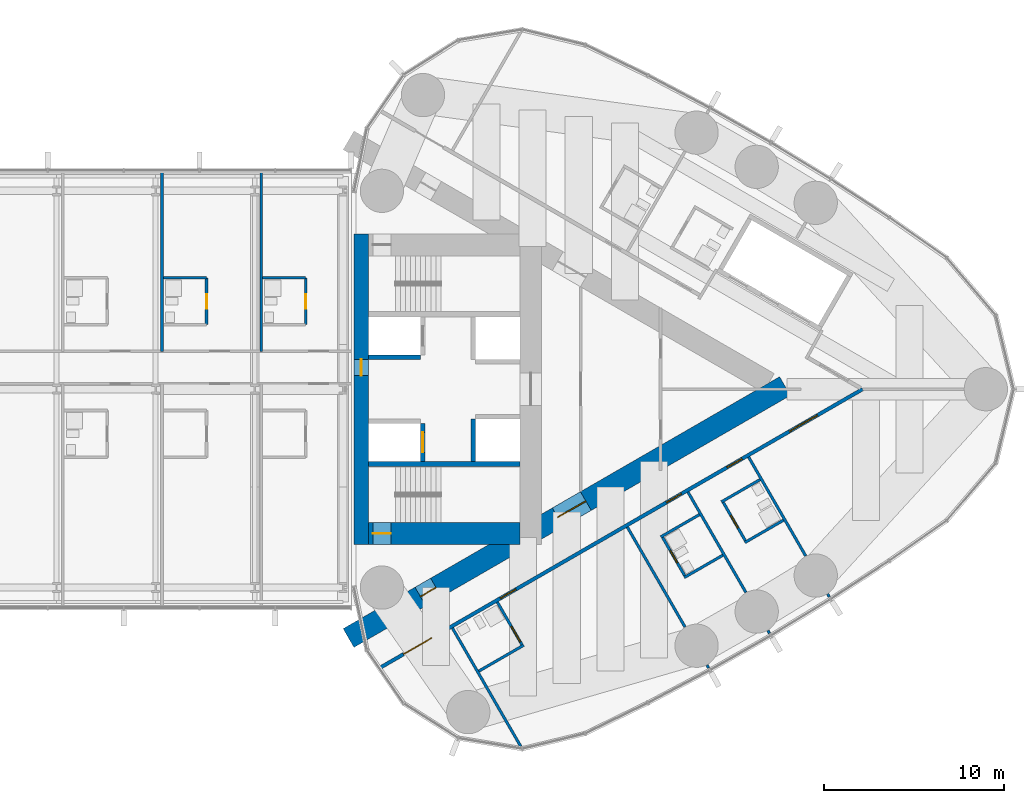
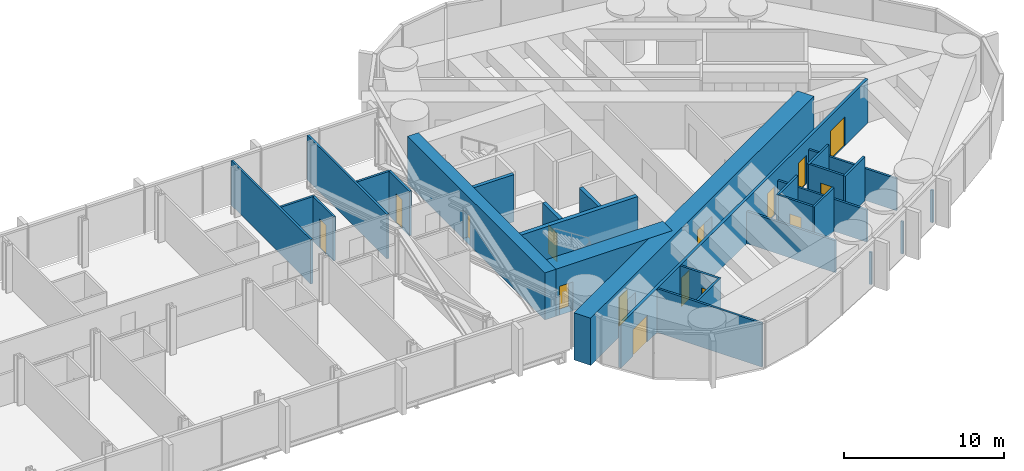
# One storey, part 19 of 24: 29 walls, 15 doors, 15 openings.
"""IFC4 building model written with IfcOpenShell, lengths in metres."""

from ifc_helpers import new_model, si_unit, direction, frame, frame_2d, origin, place, context, subcontext, project, spatial, rectangle, extrude, material, layer, layer_set, type_object, element, fill, save


model = new_model("IFC4")

# Units and contexts
model_context = context("Model", 3, precision=1e-05, world=origin(), true_north=direction((0.0, 1.0)))
body_context = subcontext(model_context, "Body", "Model", "MODEL_VIEW")
ifc_project = project(units=[si_unit("LENGTHUNIT", "METRE"), si_unit("AREAUNIT", "SQUARE_METRE"), si_unit("VOLUMEUNIT", "CUBIC_METRE"), si_unit("PLANEANGLEUNIT", "RADIAN"), si_unit("MASSUNIT", "GRAM", prefix="KILO")], contexts=[model_context])

# Site, building, storey
site_placement = place(None, origin())
site = spatial("IfcSite", under=ifc_project, at=site_placement, CompositionType="ELEMENT")
building_placement = place(site_placement, origin())
building = spatial("IfcBuilding", under=site, at=building_placement, Name="Lancet Gate Hotel", CompositionType="ELEMENT")
storey_placement = place(building_placement, frame((0.0, 0.0, 244.10009765625)))
storey = spatial("IfcBuildingStorey", under=building, at=storey_placement, Name="L65", CompositionType="ELEMENT", Elevation=244.10009765625)

# Wall
ifc_material_1 = material(Name="Moisture resistant board partition")
ifc_layer_1 = layer(ifc_material_1, 0.14990234375)
ifc_layer_set_1 = layer_set([ifc_layer_1], Name="Bathroom wall 150")
wall_type_1 = type_object("IfcWallType", Name="Bathroom wall 150", PredefinedType="PARTITIONING", material=ifc_layer_set_1)
wall_1_placement = place(storey_placement, frame((34.425048828125, -15.633056640625, 0.0), z_axis=(0.0, 0.0, 1.0), x_axis=(0.866018712932, 0.500011588718, 0.0)))
element("IfcWall", 1, at=wall_1_placement, inside=storey, type_object=wall_type_1, Name="T2 bathroom wall 150 L65", PredefinedType="PARTITIONING", context=body_context, shape_type="SweptSolid", body=[
    extrude(rectangle(XDim=2.875, YDim=0.14990234375, at=frame_2d((1.4375, 0.0))), origin(), (0.0, 0.0, 1.0), 3.349853515625),
])

# Wall, opening, door
wall_2_placement = place(storey_placement, frame((35.449951171875, -11.80810546875, 0.0), z_axis=(0.0, 0.0, 1.0), x_axis=(0.49994636267, -0.866056369097, 0.0)))
wall_2 = element("IfcWall", 2, at=wall_2_placement, inside=storey, type_object=wall_type_1, Name="T2 bathroom wall 150 L65", PredefinedType="PARTITIONING", context=body_context, shape_type="SweptSolid", body=[
    extrude(rectangle(XDim=2.800048828125, YDim=0.14990234375, at=frame_2d((1.39990234375, 0.0))), origin(), (0.0, 0.0, 1.0), 3.349853515625),
])
opening_1_placement = place(wall_2_placement, frame((1.550048828125, 0.0, 0.0)))
opening_1 = element("IfcOpeningElement", 3, at=opening_1_placement, cuts=wall_2, Name="Opening 6552-B", PredefinedType="OPENING", context=body_context, shape_type="SweptSolid", body=[
    extrude(rectangle(XDim=1.0, YDim=2.199951171875, at=frame_2d((0.5, 1.10009765625))), frame((0.0, 0.0849609375, 0.0), z_axis=(0.0, -1.0, 0.0), x_axis=(1.0, 0.0, 0.0)), (0.0, 0.0, 1.0), 0.169921875),
])
ifc_material_2 = material(Name="Timber door set", Category="wood")
door_type_1 = type_object("IfcDoorType", Name="Accessible en-suite door 1000", OperationType="SINGLE_SWING_RIGHT", PredefinedType="DOOR", material=ifc_material_2)
door_1_placement = place(opening_1_placement, origin())
door_1 = element("IfcDoor", 4, at=door_1_placement, inside=storey, type_object=door_type_1, Name="6552-B", OperationType="SINGLE_SWING_RIGHT", OverallHeight=2.199951171875, OverallWidth=1.0, PredefinedType="DOOR", context=body_context, shape_type="SweptSolid", body=[
    extrude(rectangle(XDim=1.0, YDim=2.199951171875, at=frame_2d((0.5, 1.10009765625))), frame((0.0, 0.02490234375, 0.0), z_axis=(0.0, -1.0, 0.0), x_axis=(1.0, 0.0, 0.0)), (0.0, 0.0, 1.0), 0.050048828125),
])
fill(opening_1, door_1)

# Wall
wall_3_placement = place(storey_placement, frame((45.814453125, -10.44287109375, 0.0), z_axis=(0.0, 0.0, 1.0), x_axis=(0.866073894602, 0.499916002032, 0.0)))
element("IfcWall", 5, at=wall_3_placement, inside=storey, type_object=wall_type_1, Name="T2 bathroom wall 150 L65", PredefinedType="PARTITIONING", context=body_context, shape_type="SweptSolid", body=[
    extrude(rectangle(XDim=2.47509765625, YDim=0.14990234375, at=frame_2d((1.237548828125, 0.0))), origin(), (0.0, 0.0, 1.0), 3.349853515625),
])

# Wall, opening, door
wall_4_placement = place(storey_placement, frame((44.579345703125, -8.15380859375, 0.0), z_axis=(0.0, 0.0, 1.0), x_axis=(0.500006934395, -0.866021400173, 0.0)))
wall_4 = element("IfcWall", 6, at=wall_4_placement, inside=storey, type_object=wall_type_1, Name="T2 bathroom wall 150 L65", PredefinedType="PARTITIONING", context=body_context, shape_type="SweptSolid", body=[
    extrude(rectangle(XDim=2.60009765625, YDim=0.14990234375, at=frame_2d((1.300048828125, 0.0))), origin(), (0.0, 0.0, 1.0), 3.349853515625),
])
opening_2_placement = place(wall_4_placement, frame((0.89990234375, 0.0, 0.0)))
opening_2 = element("IfcOpeningElement", 7, at=opening_2_placement, cuts=wall_4, Name="Opening 6553-B", PredefinedType="OPENING", context=body_context, shape_type="SweptSolid", body=[
    extrude(rectangle(XDim=0.800048828125, YDim=2.199951171875, at=frame_2d((0.39990234375, 1.10009765625))), frame((0.0, 0.0849609375, 0.0), z_axis=(0.0, -1.0, 0.0), x_axis=(1.0, 0.0, 0.0)), (0.0, 0.0, 1.0), 0.169921875),
])
ifc_material_3 = material(Name="Timber door set", Category="wood")
door_type_2 = type_object("IfcDoorType", Name="Bathroom door 800", OperationType="SINGLE_SWING_RIGHT", PredefinedType="DOOR", material=ifc_material_3)
door_2_placement = place(opening_2_placement, origin())
door_2 = element("IfcDoor", 8, at=door_2_placement, inside=storey, type_object=door_type_2, Name="6553-B", OperationType="SINGLE_SWING_RIGHT", OverallHeight=2.199951171875, OverallWidth=0.800048828125, PredefinedType="DOOR", context=body_context, shape_type="SweptSolid", body=[
    extrude(rectangle(XDim=0.800048828125, YDim=2.199951171875, at=frame_2d((0.39990234375, 1.10009765625))), frame((0.0, 0.02490234375, 0.0), z_axis=(0.0, -1.0, 0.0), x_axis=(1.0, 0.0, 0.0)), (0.0, 0.0, 1.0), 0.050048828125),
])
fill(opening_2, door_2)

# Walls
for number, where, z_axis, x_axis, name in (
    (9, (44.514404296875, -8.19140625, 0.0), (0.0, 0.0, 1.0), (0.866031185235, 0.4999899861, 0.0), "T2 bathroom wall 150 L65"),
    (10, (49.1767578125, -8.501708984375, 0.0), (0.0, 0.0, 1.0), (0.866031185235, 0.4999899861, 0.0), "T2 bathroom wall 150 L65"),
):
    element("IfcWall", number, at=place(storey_placement, frame(where, z_axis=z_axis, x_axis=x_axis)), inside=storey, type_object=wall_type_1, Name=name, PredefinedType="PARTITIONING", context=body_context, shape_type="SweptSolid", body=[
        extrude(rectangle(XDim=2.47509765625, YDim=0.14990234375, at=frame_2d((1.237548828125, 0.0))), origin(), (0.0, 0.0, 1.0), 3.349853515625),
    ])

# Wall, opening, door
wall_5_placement = place(storey_placement, frame((47.941650390625, -6.212646484375, 0.0), z_axis=(0.0, 0.0, 1.0), x_axis=(0.500047596559, -0.865997922154, 0.0)))
wall_5 = element("IfcWall", 11, at=wall_5_placement, inside=storey, type_object=wall_type_1, Name="T2 bathroom wall 150 L65", PredefinedType="PARTITIONING", context=body_context, shape_type="SweptSolid", body=[
    extrude(rectangle(XDim=2.599853515625, YDim=0.14990234375, at=frame_2d((1.2998046875, 0.0))), origin(), (0.0, 0.0, 1.0), 3.349853515625),
])
opening_3_placement = place(wall_5_placement, frame((0.89990234375, 0.0, 0.0)))
opening_3 = element("IfcOpeningElement", 12, at=opening_3_placement, cuts=wall_5, Name="Opening 6554-B", PredefinedType="OPENING", context=body_context, shape_type="SweptSolid", body=[
    extrude(rectangle(XDim=0.800048828125, YDim=2.199951171875, at=frame_2d((0.39990234375, 1.10009765625))), frame((0.0, 0.0849609375, 0.0), z_axis=(0.0, -1.0, 0.0), x_axis=(1.0, 0.0, 0.0)), (0.0, 0.0, 1.0), 0.169921875),
])
door_3_placement = place(opening_3_placement, origin())
door_3 = element("IfcDoor", 13, at=door_3_placement, inside=storey, type_object=door_type_2, Name="6554-B", OperationType="SINGLE_SWING_RIGHT", OverallHeight=2.199951171875, OverallWidth=0.800048828125, PredefinedType="DOOR", context=body_context, shape_type="SweptSolid", body=[
    extrude(rectangle(XDim=0.800048828125, YDim=2.199951171875, at=frame_2d((0.39990234375, 1.10009765625))), frame((0.0, 0.02490234375, 0.0), z_axis=(0.0, -1.0, 0.0), x_axis=(1.0, 0.0, 0.0)), (0.0, 0.0, 1.0), 0.050048828125),
])
fill(opening_3, door_3)

# Walls
wall_6_placement = place(storey_placement, frame((47.876708984375, -6.25, 0.0), z_axis=(0.0, 0.0, 1.0), x_axis=(0.866031185235, 0.4999899861, 0.0)))
element("IfcWall", 14, at=wall_6_placement, inside=storey, type_object=wall_type_1, Name="T2 bathroom wall 150 L65", PredefinedType="PARTITIONING", context=body_context, shape_type="SweptSolid", body=[
    extrude(rectangle(XDim=2.47509765625, YDim=0.14990234375, at=frame_2d((1.237548828125, 0.0))), origin(), (0.0, 0.0, 1.0), 3.349853515625),
])
wall_7_placement = place(storey_placement, frame((16.925048828125, 6.175048828125, 0.0), z_axis=(0.0, 0.0, 1.0), x_axis=(1.0, 0.0, 0.0)))
element("IfcWall", 15, at=wall_7_placement, inside=storey, type_object=wall_type_1, Name="Bridge block bathroom wall 150 L65", PredefinedType="PARTITIONING", context=body_context, shape_type="SweptSolid", body=[
    extrude(rectangle(XDim=2.39990234375, YDim=0.14990234375, at=frame_2d((1.199951171875, 0.0))), origin(), (0.0, 0.0, 1.0), 3.39990234375),
])

# Wall, opening, door
wall_8_placement = place(storey_placement, frame((19.324951171875, 3.574951171875, 0.0), z_axis=(0.0, 0.0, 1.0), x_axis=(0.0, 1.0, 0.0)))
wall_8 = element("IfcWall", 16, at=wall_8_placement, inside=storey, type_object=wall_type_1, Name="Bridge block bathroom wall 150 L65", PredefinedType="PARTITIONING", context=body_context, shape_type="SweptSolid", body=[
    extrude(rectangle(XDim=2.60009765625, YDim=0.14990234375, at=frame_2d((1.300048828125, 0.0))), origin(), (0.0, 0.0, 1.0), 3.39990234375),
])
opening_4_placement = place(wall_8_placement, frame((0.89990234375, 0.0, 0.0)))
opening_4 = element("IfcOpeningElement", 17, at=opening_4_placement, cuts=wall_8, Name="Opening B6519-B", PredefinedType="OPENING", context=body_context, shape_type="SweptSolid", body=[
    extrude(rectangle(XDim=0.800048828125, YDim=2.199951171875, at=frame_2d((0.39990234375, 1.10009765625))), frame((0.0, 0.0849609375, 0.0), z_axis=(0.0, -1.0, 0.0), x_axis=(1.0, 0.0, 0.0)), (0.0, 0.0, 1.0), 0.169921875),
])
door_4_placement = place(opening_4_placement, origin())
door_4 = element("IfcDoor", 18, at=door_4_placement, inside=storey, type_object=door_type_2, Name="B6519-B", OperationType="SINGLE_SWING_RIGHT", OverallHeight=2.199951171875, OverallWidth=0.800048828125, PredefinedType="DOOR", context=body_context, shape_type="SweptSolid", body=[
    extrude(rectangle(XDim=0.800048828125, YDim=2.199951171875, at=frame_2d((0.39990234375, 1.10009765625))), frame((0.0, 0.02490234375, 0.0), z_axis=(0.0, -1.0, 0.0), x_axis=(1.0, 0.0, 0.0)), (0.0, 0.0, 1.0), 0.050048828125),
])
fill(opening_4, door_4)

# Wall
wall_9_placement = place(storey_placement, frame((22.425048828125, 6.175048828125, 0.0), z_axis=(0.0, 0.0, 1.0), x_axis=(1.0, 0.0, 0.0)))
element("IfcWall", 19, at=wall_9_placement, inside=storey, type_object=wall_type_1, Name="Bridge block bathroom wall 150 L65", PredefinedType="PARTITIONING", context=body_context, shape_type="SweptSolid", body=[
    extrude(rectangle(XDim=2.39990234375, YDim=0.14990234375, at=frame_2d((1.199951171875, 0.0))), origin(), (0.0, 0.0, 1.0), 3.39990234375),
])

# Wall, opening, door
wall_10_placement = place(storey_placement, frame((24.824951171875, 3.574951171875, 0.0), z_axis=(0.0, 0.0, 1.0), x_axis=(0.0, 1.0, 0.0)))
wall_10 = element("IfcWall", 20, at=wall_10_placement, inside=storey, type_object=wall_type_1, Name="Bridge block bathroom wall 150 L65", PredefinedType="PARTITIONING", context=body_context, shape_type="SweptSolid", body=[
    extrude(rectangle(XDim=2.60009765625, YDim=0.14990234375, at=frame_2d((1.300048828125, 0.0))), origin(), (0.0, 0.0, 1.0), 3.39990234375),
])
opening_5_placement = place(wall_10_placement, frame((0.89990234375, 0.0, 0.0)))
opening_5 = element("IfcOpeningElement", 21, at=opening_5_placement, cuts=wall_10, Name="Opening B6520-B", PredefinedType="OPENING", context=body_context, shape_type="SweptSolid", body=[
    extrude(rectangle(XDim=0.800048828125, YDim=2.199951171875, at=frame_2d((0.39990234375, 1.10009765625))), frame((0.0, 0.0849609375, 0.0), z_axis=(0.0, -1.0, 0.0), x_axis=(1.0, 0.0, 0.0)), (0.0, 0.0, 1.0), 0.169921875),
])
door_5_placement = place(opening_5_placement, origin())
door_5 = element("IfcDoor", 22, at=door_5_placement, inside=storey, type_object=door_type_2, Name="B6520-B", OperationType="SINGLE_SWING_RIGHT", OverallHeight=2.199951171875, OverallWidth=0.800048828125, PredefinedType="DOOR", context=body_context, shape_type="SweptSolid", body=[
    extrude(rectangle(XDim=0.800048828125, YDim=2.199951171875, at=frame_2d((0.39990234375, 1.10009765625))), frame((0.0, 0.02490234375, 0.0), z_axis=(0.0, -1.0, 0.0), x_axis=(1.0, 0.0, 0.0)), (0.0, 0.0, 1.0), 0.050048828125),
])
fill(opening_5, door_5)

# Wall, openings, doors
ifc_material_4 = material(Name="Concrete C70/85", Category="concrete")
ifc_layer_2 = layer(ifc_material_4, 1.199951171875)
ifc_layer_set_2 = layer_set([ifc_layer_2], Name="Buttress wall 1200")
wall_type_2 = type_object("IfcWallType", Name="Buttress wall 1200", PredefinedType="SHEAR", material=ifc_layer_set_2)
wall_11_placement = place(storey_placement, frame((27.199951171875, -13.800048828125, 0.0), z_axis=(0.0, 0.0, 1.0), x_axis=(0.866027159892, 0.499996958321, 0.0)))
wall_11 = element("IfcWall", 23, at=wall_11_placement, inside=storey, type_object=wall_type_2, Name="T2 buttress wall S L65", PredefinedType="SHEAR", context=body_context, shape_type="SweptSolid", body=[
    extrude(rectangle(XDim=27.946533203125, YDim=1.199951171875, at=frame_2d((13.97314453125, 0.0))), origin(), (0.0, 0.0, 1.0), 3.599853515625),
])
opening_6_placement = place(wall_11_placement, frame((4.60009765625, 0.0, 0.0)))
opening_6 = element("IfcOpeningElement", 24, at=opening_6_placement, cuts=wall_11, Name="Opening T2-L65-LS", PredefinedType="OPENING", context=body_context, shape_type="SweptSolid", body=[
    extrude(rectangle(XDim=1.0, YDim=2.199951171875, at=frame_2d((0.5, 1.10009765625))), frame((0.0, 0.60986328125, 0.0), z_axis=(0.0, -1.0, 0.0), x_axis=(1.0, 0.0, 0.0)), (0.0, 0.0, 1.0), 1.219970703125),
])
opening_7_placement = place(wall_11_placement, frame((13.39453125, 0.0, 0.0)))
opening_7 = element("IfcOpeningElement", 25, at=opening_7_placement, cuts=wall_11, Name="Opening T2-L65-LHS", PredefinedType="OPENING", context=body_context, shape_type="SweptSolid", body=[
    extrude(rectangle(XDim=1.800048828125, YDim=2.199951171875, at=frame_2d((0.89990234375, 1.10009765625))), frame((0.0, 0.60986328125, 0.0), z_axis=(0.0, -1.0, 0.0), x_axis=(1.0, 0.0, 0.0)), (0.0, 0.0, 1.0), 1.219970703125),
])
ifc_material_5 = material(Name="Timber door set", Category="wood")
door_type_3 = type_object("IfcDoorType", Name="Lobby double door 1800", OperationType="DOUBLE_DOOR_SINGLE_SWING", PredefinedType="DOOR", material=ifc_material_5)
door_6_placement = place(opening_7_placement, origin())
door_6 = element("IfcDoor", 26, at=door_6_placement, inside=storey, type_object=door_type_3, Name="T2-L65-LHS", OperationType="DOUBLE_DOOR_SINGLE_SWING", OverallHeight=2.199951171875, OverallWidth=1.800048828125, PredefinedType="DOOR", context=body_context, shape_type="SweptSolid", body=[
    extrude(rectangle(XDim=1.800048828125, YDim=2.199951171875, at=frame_2d((0.89990234375, 1.10009765625))), frame((0.0, 0.02490234375, 0.0), z_axis=(0.0, -1.0, 0.0), x_axis=(1.0, 0.0, 0.0)), (0.0, 0.0, 1.0), 0.050048828125),
])
fill(opening_7, door_6)
ifc_material_6 = material(Name="Timber door set", Category="wood")
door_type_4 = type_object("IfcDoorType", Name="Stair lobby door 1000", OperationType="SINGLE_SWING_LEFT", PredefinedType="DOOR", material=ifc_material_6)
door_7_placement = place(opening_6_placement, origin())
door_7 = element("IfcDoor", 27, at=door_7_placement, inside=storey, type_object=door_type_4, Name="T2-L65-LS", OperationType="SINGLE_SWING_LEFT", OverallHeight=2.199951171875, OverallWidth=1.0, PredefinedType="DOOR", context=body_context, shape_type="SweptSolid", body=[
    extrude(rectangle(XDim=1.0, YDim=2.199951171875, at=frame_2d((0.5, 1.10009765625))), frame((0.0, 0.02490234375, 0.0), z_axis=(0.0, -1.0, 0.0), x_axis=(1.0, 0.0, 0.0)), (0.0, 0.0, 1.0), 0.050048828125),
])
fill(opening_6, door_7)

# Wall, opening, door
ifc_material_7 = material(Name="Concrete C70/85", Category="concrete")
ifc_layer_3 = layer(ifc_material_7, 1.199951171875)
ifc_layer_set_3 = layer_set([ifc_layer_3], Name="Core wall 1200")
wall_type_3 = type_object("IfcWallType", Name="Core wall 1200", PredefinedType="SHEAR", material=ifc_layer_set_3)
wall_12_placement = place(storey_placement, frame((28.300048828125, -8.0, 0.0), z_axis=(0.0, 0.0, 1.0), x_axis=(1.0, 0.0, 0.0)))
wall_12 = element("IfcWall", 28, at=wall_12_placement, inside=storey, type_object=wall_type_3, Name="T2 core wall side-S L65", PredefinedType="SHEAR", context=body_context, shape_type="SweptSolid", body=[
    extrude(rectangle(XDim=8.39990234375, YDim=1.199951171875, at=frame_2d((4.199951171875, 0.0))), origin(), (0.0, 0.0, 1.0), 3.599853515625),
])
opening_8_placement = place(wall_12_placement, frame((0.25, 0.0, 0.0)))
opening_8 = element("IfcOpeningElement", 29, at=opening_8_placement, cuts=wall_12, Name="Opening T2-L65-ST1", PredefinedType="OPENING", context=body_context, shape_type="SweptSolid", body=[
    extrude(rectangle(XDim=1.0, YDim=2.199951171875, at=frame_2d((0.5, 1.10009765625))), frame((0.0, 0.60986328125, 0.0), z_axis=(0.0, -1.0, 0.0), x_axis=(1.0, 0.0, 0.0)), (0.0, 0.0, 1.0), 1.219970703125),
])
ifc_material_8 = material(Name="Timber door set", Category="wood")
door_type_5 = type_object("IfcDoorType", Name="Stair door 1000", OperationType="SINGLE_SWING_RIGHT", PredefinedType="DOOR", material=ifc_material_8)
door_8_placement = place(opening_8_placement, origin())
door_8 = element("IfcDoor", 30, at=door_8_placement, inside=storey, type_object=door_type_5, Name="T2-L65-ST1", OperationType="SINGLE_SWING_RIGHT", OverallHeight=2.199951171875, OverallWidth=1.0, PredefinedType="DOOR", context=body_context, shape_type="SweptSolid", body=[
    extrude(rectangle(XDim=1.0, YDim=2.199951171875, at=frame_2d((0.5, 1.10009765625))), frame((0.0, 0.02490234375, 0.0), z_axis=(0.0, -1.0, 0.0), x_axis=(1.0, 0.0, 0.0)), (0.0, 0.0, 1.0), 0.050048828125),
])
fill(opening_8, door_8)

ifc_material_9 = material(Name="Concrete C70/85", Category="concrete")
ifc_layer_4 = layer(ifc_material_9, 0.800048828125)
ifc_layer_set_4 = layer_set([ifc_layer_4], Name="Core wall 800")
wall_type_4 = type_object("IfcWallType", Name="Core wall 800", PredefinedType="SHEAR", material=ifc_layer_set_4)
wall_13_placement = place(storey_placement, frame((27.89990234375, -8.60009765625, 0.0), z_axis=(0.0, 0.0, 1.0), x_axis=(0.0, 1.0, 0.0)))
wall_13 = element("IfcWall", 31, at=wall_13_placement, inside=storey, type_object=wall_type_4, Name="T2 core wall front L65", PredefinedType="SHEAR", context=body_context, shape_type="SweptSolid", body=[
    extrude(rectangle(XDim=17.2001953125, YDim=0.800048828125, at=frame_2d((8.60009765625, 0.0))), origin(), (0.0, 0.0, 1.0), 3.599853515625),
])
opening_9_placement = place(wall_13_placement, frame((9.35009765625, 0.0, 0.0)))
opening_9 = element("IfcOpeningElement", 32, at=opening_9_placement, cuts=wall_13, Name="Opening T2-L65-BR", PredefinedType="OPENING", context=body_context, shape_type="SweptSolid", body=[
    extrude(rectangle(XDim=0.89990234375, YDim=2.199951171875, at=frame_2d((0.449951171875, 1.10009765625))), frame((0.0, 0.409912109375, 0.0), z_axis=(0.0, -1.0, 0.0), x_axis=(1.0, 0.0, 0.0)), (0.0, 0.0, 1.0), 0.820068359375),
])
ifc_material_10 = material(Name="Steel door set", Category="steel")
door_type_6 = type_object("IfcDoorType", Name="Bridge fire door 900", OperationType="SINGLE_SWING_LEFT", PredefinedType="DOOR", material=ifc_material_10)
door_9_placement = place(opening_9_placement, origin())
door_9 = element("IfcDoor", 33, at=door_9_placement, inside=storey, type_object=door_type_6, Name="T2-L65-BR", OperationType="SINGLE_SWING_LEFT", OverallHeight=2.199951171875, OverallWidth=0.89990234375, PredefinedType="DOOR", context=body_context, shape_type="SweptSolid", body=[
    extrude(rectangle(XDim=0.89990234375, YDim=2.199951171875, at=frame_2d((0.449951171875, 1.10009765625))), frame((0.0, 0.02490234375, 0.0), z_axis=(0.0, -1.0, 0.0), x_axis=(1.0, 0.0, 0.0)), (0.0, 0.0, 1.0), 0.050048828125),
])
fill(opening_9, door_9)

# Wall, openings, doors
ifc_material_11 = material(Name="Gypsum board partition")
ifc_layer_5 = layer(ifc_material_11, 0.199951171875)
ifc_layer_set_5 = layer_set([ifc_layer_5], Name="Corridor wall 200")
wall_type_5 = type_object("IfcWallType", Name="Corridor wall 200", PredefinedType="PARTITIONING", material=ifc_layer_set_5)
wall_14_placement = place(storey_placement, frame((28.958984375, -15.440185546875, 0.0), z_axis=(0.0, 0.0, 1.0), x_axis=(0.866025227435, 0.500000305447, 0.0)))
wall_14 = element("IfcWall", 34, at=wall_14_placement, inside=storey, type_object=wall_type_5, Name="T2 corridor wall 200 L65", PredefinedType="PARTITIONING", context=body_context, shape_type="SweptSolid", body=[
    extrude(rectangle(XDim=30.88037109375, YDim=0.199951171875, at=frame_2d((15.440185546875, 0.0))), origin(), (0.0, 0.0, 1.0), 3.349853515625),
])
opening_10_placement = place(wall_14_placement, frame((1.49365234375, 0.0, 0.0)))
opening_10 = element("IfcOpeningElement", 35, at=opening_10_placement, cuts=wall_14, Name="Opening 6551-E", PredefinedType="OPENING", context=body_context, shape_type="SweptSolid", body=[
    extrude(rectangle(XDim=1.800048828125, YDim=2.0400390625, at=frame_2d((0.89990234375, 1.02001953125))), frame((0.0, 0.10986328125, 0.0), z_axis=(0.0, -1.0, 0.0), x_axis=(1.0, 0.0, 0.0)), (0.0, 0.0, 1.0), 0.219970703125),
])
opening_11_placement = place(wall_14_placement, frame((7.687255859375, 0.0, 0.0)))
opening_11 = element("IfcOpeningElement", 36, at=opening_11_placement, cuts=wall_14, Name="Opening 6552-E", PredefinedType="OPENING", context=body_context, shape_type="SweptSolid", body=[
    extrude(rectangle(XDim=1.0, YDim=2.199951171875, at=frame_2d((0.5, 1.10009765625))), frame((0.0, 0.10986328125, 0.0), z_axis=(0.0, -1.0, 0.0), x_axis=(1.0, 0.0, 0.0)), (0.0, 0.0, 1.0), 0.219970703125),
])
opening_12_placement = place(wall_14_placement, frame((18.32080078125, 0.0, 0.0)))
opening_12 = element("IfcOpeningElement", 37, at=opening_12_placement, cuts=wall_14, Name="Opening 6553-E", PredefinedType="OPENING", context=body_context, shape_type="SweptSolid", body=[
    extrude(rectangle(XDim=0.949951171875, YDim=2.199951171875, at=frame_2d((0.47509765625, 1.10009765625))), frame((0.0, 0.10986328125, 0.0), z_axis=(0.0, -1.0, 0.0), x_axis=(1.0, 0.0, 0.0)), (0.0, 0.0, 1.0), 0.219970703125),
])
opening_13_placement = place(wall_14_placement, frame((22.203369140625, 0.0, 0.0)))
opening_13 = element("IfcOpeningElement", 38, at=opening_13_placement, cuts=wall_14, Name="Opening 6554-E", PredefinedType="OPENING", context=body_context, shape_type="SweptSolid", body=[
    extrude(rectangle(XDim=0.949951171875, YDim=2.199951171875, at=frame_2d((0.47509765625, 1.10009765625))), frame((0.0, 0.10986328125, 0.0), z_axis=(0.0, -1.0, 0.0), x_axis=(1.0, 0.0, 0.0)), (0.0, 0.0, 1.0), 0.219970703125),
])
opening_14_placement = place(wall_14_placement, frame((26.19189453125, 0.0, 0.0)))
opening_14 = element("IfcOpeningElement", 39, at=opening_14_placement, cuts=wall_14, Name="Opening 6555-E", PredefinedType="OPENING", context=body_context, shape_type="SweptSolid", body=[
    extrude(rectangle(XDim=1.800048828125, YDim=2.199951171875, at=frame_2d((0.89990234375, 1.10009765625))), frame((0.0, 0.10986328125, 0.0), z_axis=(0.0, -1.0, 0.0), x_axis=(1.0, 0.0, 0.0)), (0.0, 0.0, 1.0), 0.219970703125),
])
ifc_material_12 = material(Name="Timber door set", Category="wood")
door_type_7 = type_object("IfcDoorType", Name="Accessible guest room door 1000", OperationType="SINGLE_SWING_LEFT", PredefinedType="DOOR", material=ifc_material_12)
door_10_placement = place(opening_11_placement, origin())
door_10 = element("IfcDoor", 40, at=door_10_placement, inside=storey, type_object=door_type_7, Name="6552-E", OperationType="SINGLE_SWING_LEFT", OverallHeight=2.199951171875, OverallWidth=1.0, PredefinedType="DOOR", context=body_context, shape_type="SweptSolid", body=[
    extrude(rectangle(XDim=1.0, YDim=2.199951171875, at=frame_2d((0.5, 1.10009765625))), frame((0.0, 0.02490234375, 0.0), z_axis=(0.0, -1.0, 0.0), x_axis=(1.0, 0.0, 0.0)), (0.0, 0.0, 1.0), 0.050048828125),
])
fill(opening_11, door_10)
ifc_material_13 = material(Name="Timber door set", Category="wood")
door_type_8 = type_object("IfcDoorType", Name="Double door 1800", OperationType="DOUBLE_DOOR_SINGLE_SWING", PredefinedType="DOOR", material=ifc_material_13)
door_11_placement = place(opening_14_placement, origin())
door_11 = element("IfcDoor", 41, at=door_11_placement, inside=storey, type_object=door_type_8, Name="6555-E", OperationType="DOUBLE_DOOR_SINGLE_SWING", OverallHeight=2.199951171875, OverallWidth=1.800048828125, PredefinedType="DOOR", context=body_context, shape_type="SweptSolid", body=[
    extrude(rectangle(XDim=1.800048828125, YDim=2.199951171875, at=frame_2d((0.89990234375, 1.10009765625))), frame((0.0, 0.02490234375, 0.0), z_axis=(0.0, -1.0, 0.0), x_axis=(1.0, 0.0, 0.0)), (0.0, 0.0, 1.0), 0.050048828125),
])
fill(opening_14, door_11)
ifc_material_14 = material(Name="Timber door set", Category="wood")
door_type_9 = type_object("IfcDoorType", Name="Double door 1800, 2040 high", OperationType="DOUBLE_DOOR_SINGLE_SWING", PredefinedType="DOOR", material=ifc_material_14)
door_12_placement = place(opening_10_placement, origin())
door_12 = element("IfcDoor", 42, at=door_12_placement, inside=storey, type_object=door_type_9, Name="6551-E", OperationType="DOUBLE_DOOR_SINGLE_SWING", OverallHeight=2.0400390625, OverallWidth=1.800048828125, PredefinedType="DOOR", context=body_context, shape_type="SweptSolid", body=[
    extrude(rectangle(XDim=1.800048828125, YDim=2.0400390625, at=frame_2d((0.89990234375, 1.02001953125))), frame((0.0, 0.02490234375, 0.0), z_axis=(0.0, -1.0, 0.0), x_axis=(1.0, 0.0, 0.0)), (0.0, 0.0, 1.0), 0.050048828125),
])
fill(opening_10, door_12)
ifc_material_15 = material(Name="Timber door set", Category="wood")
door_type_10 = type_object("IfcDoorType", Name="Guest room entry door 950", OperationType="SINGLE_SWING_LEFT", PredefinedType="DOOR", material=ifc_material_15)
door_13_placement = place(opening_12_placement, origin())
door_13 = element("IfcDoor", 43, at=door_13_placement, inside=storey, type_object=door_type_10, Name="6553-E", OperationType="SINGLE_SWING_LEFT", OverallHeight=2.199951171875, OverallWidth=0.949951171875, PredefinedType="DOOR", context=body_context, shape_type="SweptSolid", body=[
    extrude(rectangle(XDim=0.949951171875, YDim=2.199951171875, at=frame_2d((0.47509765625, 1.10009765625))), frame((0.0, 0.02490234375, 0.0), z_axis=(0.0, -1.0, 0.0), x_axis=(1.0, 0.0, 0.0)), (0.0, 0.0, 1.0), 0.050048828125),
])
fill(opening_12, door_13)
door_14_placement = place(opening_13_placement, origin())
door_14 = element("IfcDoor", 44, at=door_14_placement, inside=storey, type_object=door_type_10, Name="6554-E", OperationType="SINGLE_SWING_LEFT", OverallHeight=2.199951171875, OverallWidth=0.949951171875, PredefinedType="DOOR", context=body_context, shape_type="SweptSolid", body=[
    extrude(rectangle(XDim=0.949951171875, YDim=2.199951171875, at=frame_2d((0.47509765625, 1.10009765625))), frame((0.0, 0.02490234375, 0.0), z_axis=(0.0, -1.0, 0.0), x_axis=(1.0, 0.0, 0.0)), (0.0, 0.0, 1.0), 0.050048828125),
])
fill(opening_13, door_14)

# Wall, opening, door
ifc_material_16 = material(Name="Concrete C50/60", Category="concrete")
ifc_layer_6 = layer(ifc_material_16, 0.25)
ifc_layer_set_6 = layer_set([ifc_layer_6], Name="Lift shaft wall 250")
wall_type_6 = type_object("IfcWallType", Name="Lift shaft wall 250", PredefinedType="SHEAR", material=ifc_layer_set_6)
wall_15_placement = place(storey_placement, frame((31.324951171875, -4.0, 0.0), z_axis=(0.0, 0.0, 1.0), x_axis=(0.0, 1.0, 0.0)))
wall_15 = element("IfcWall", 45, at=wall_15_placement, inside=storey, type_object=wall_type_6, Name="T2 core wall row1-S L65", PredefinedType="SHEAR", context=body_context, shape_type="SweptSolid", body=[
    extrude(rectangle(XDim=2.10009765625, YDim=0.25, at=frame_2d((1.050048828125, 0.0))), origin(), (0.0, 0.0, 1.0), 3.599853515625),
])
opening_15_placement = place(wall_15_placement, frame((0.5, 0.0, 0.0)))
opening_15 = element("IfcOpeningElement", 46, at=opening_15_placement, cuts=wall_15, Name="Opening T2-SL1-L65", PredefinedType="OPENING", context=body_context, shape_type="SweptSolid", body=[
    extrude(rectangle(XDim=1.10009765625, YDim=2.199951171875, at=frame_2d((0.550048828125, 1.10009765625))), frame((0.0, 0.135009765625, 0.0), z_axis=(0.0, -1.0, 0.0), x_axis=(1.0, 0.0, 0.0)), (0.0, 0.0, 1.0), 0.27001953125),
])
ifc_material_17 = material(Name="Timber door set", Category="wood")
door_type_11 = type_object("IfcDoorType", Name="Service lift landing door 1100", OperationType="SLIDING_TO_LEFT", PredefinedType="USERDEFINED", material=ifc_material_17)
door_15_placement = place(opening_15_placement, origin())
door_15 = element("IfcDoor", 47, at=door_15_placement, inside=storey, type_object=door_type_11, Name="T2-SL1-L65", ObjectType="LIFT LANDING DOOR", OperationType="SLIDING_TO_LEFT", OverallHeight=2.199951171875, OverallWidth=1.10009765625, PredefinedType="USERDEFINED", context=body_context, shape_type="SweptSolid", body=[
    extrude(rectangle(XDim=1.10009765625, YDim=2.199951171875, at=frame_2d((0.550048828125, 1.10009765625))), frame((0.0, 0.02490234375, 0.0), z_axis=(0.0, -1.0, 0.0), x_axis=(1.0, 0.0, 0.0)), (0.0, 0.0, 1.0), 0.050048828125),
])
fill(opening_15, door_15)

# Walls
wall_16_placement = place(storey_placement, frame((34.125, -4.0, 0.0), z_axis=(0.0, 0.0, 1.0), x_axis=(0.0, 1.0, 0.0)))
element("IfcWall", 48, at=wall_16_placement, inside=storey, type_object=wall_type_6, Name="T2 core wall row2-S L65", PredefinedType="SHEAR", context=body_context, shape_type="SweptSolid", body=[
    extrude(rectangle(XDim=2.35009765625, YDim=0.25, at=frame_2d((1.175048828125, 0.0))), origin(), (0.0, 0.0, 1.0), 3.599853515625),
])
wall_17_placement = place(storey_placement, frame((28.300048828125, 1.77490234375, 0.0), z_axis=(0.0, 0.0, 1.0), x_axis=(1.0, 0.0, 0.0)))
element("IfcWall", 49, at=wall_17_placement, inside=storey, type_object=wall_type_6, Name="T2 core wall pass1-N L65", PredefinedType="SHEAR", context=body_context, shape_type="SweptSolid", body=[
    extrude(rectangle(XDim=2.89990234375, YDim=0.25, at=frame_2d((1.449951171875, 0.0))), origin(), (0.0, 0.0, 1.0), 3.599853515625),
])
ifc_material_18 = material(Name="Gypsum board partition")
ifc_layer_7 = layer(ifc_material_18, 0.14990234375)
ifc_layer_set_7 = layer_set([ifc_layer_7], Name="Party wall 150")
wall_type_7 = type_object("IfcWallType", Name="Party wall 150", PredefinedType="PARTITIONING", material=ifc_layer_set_7)
wall_18_placement = place(storey_placement, frame((32.9599609375, -13.24560546875, 0.0), z_axis=(0.0, 0.0, 1.0), x_axis=(0.500000236886, -0.866025267018, 0.0)))
element("IfcWall", 50, at=wall_18_placement, inside=storey, type_object=wall_type_7, Name="T2 party wall 150 L65", PredefinedType="PARTITIONING", context=body_context, shape_type="SweptSolid", body=[
    extrude(rectangle(XDim=7.58251953125, YDim=0.14990234375, at=frame_2d((3.791259765625, 0.0))), origin(), (0.0, 0.0, 1.0), 3.349853515625),
])
wall_19_placement = place(storey_placement, frame((42.65966796875, -7.6455078125, 0.0), z_axis=(0.0, 0.0, 1.0), x_axis=(0.499996592859, -0.866027370889, 0.0)))
element("IfcWall", 51, at=wall_19_placement, inside=storey, type_object=wall_type_7, Name="T2 party wall 150 L65", PredefinedType="PARTITIONING", context=body_context, shape_type="SweptSolid", body=[
    extrude(rectangle(XDim=6.3984375, YDim=0.14990234375, at=frame_2d((3.19921875, 0.0))), origin(), (0.0, 0.0, 1.0), 2.449951171875),
])
wall_20_placement = place(storey_placement, frame((47.078857421875, -15.2998046875, 0.0), z_axis=(0.0, 0.0, 1.0), x_axis=(0.499212083968, -0.866479829667, 0.0)))
element("IfcWall", 52, at=wall_20_placement, inside=storey, type_object=wall_type_7, Name="T2 party wall 150 L65", PredefinedType="PARTITIONING", context=body_context, shape_type="SweptSolid", body=[
    extrude(rectangle(XDim=0.179443359375, YDim=0.14990234375, at=frame_2d((0.08984375, 0.0))), origin(), (0.0, 0.0, 1.0), 2.449951171875),
])
wall_21_placement = place(storey_placement, frame((46.02294921875, -5.703857421875, 0.0), z_axis=(0.0, 0.0, 1.0), x_axis=(0.499984478165, -0.866034365135, 0.0)))
element("IfcWall", 53, at=wall_21_placement, inside=storey, type_object=wall_type_7, Name="T2 party wall 150 L65", PredefinedType="PARTITIONING", context=body_context, shape_type="SweptSolid", body=[
    extrude(rectangle(XDim=6.425537109375, YDim=0.14990234375, at=frame_2d((3.212890625, 0.0))), origin(), (0.0, 0.0, 1.0), 2.449951171875),
])
wall_22_placement = place(storey_placement, frame((50.45556640625, -13.381591796875, 0.0), z_axis=(0.0, 0.0, 1.0), x_axis=(0.500661834965, -0.865642955848, 0.0)))
element("IfcWall", 54, at=wall_22_placement, inside=storey, type_object=wall_type_7, Name="T2 party wall 150 L65", PredefinedType="PARTITIONING", context=body_context, shape_type="SweptSolid", body=[
    extrude(rectangle(XDim=0.179931640625, YDim=0.14990234375, at=frame_2d((0.08984375, 0.0))), origin(), (0.0, 0.0, 1.0), 2.449951171875),
])
wall_23_placement = place(storey_placement, frame((49.38525390625, -3.7626953125, 0.0), z_axis=(0.0, 0.0, 1.0), x_axis=(0.499999447814, -0.866025722589, 0.0)))
element("IfcWall", 55, at=wall_23_placement, inside=storey, type_object=wall_type_7, Name="T2 party wall 150 L65", PredefinedType="PARTITIONING", context=body_context, shape_type="SweptSolid", body=[
    extrude(rectangle(XDim=6.33251953125, YDim=0.14990234375, at=frame_2d((3.166259765625, 0.0))), origin(), (0.0, 0.0, 1.0), 2.449951171875),
])
wall_24_placement = place(storey_placement, frame((53.771484375, -11.35986328125, 0.0), z_axis=(0.0, 0.0, 1.0), x_axis=(0.499524978789, -0.866299483762, 0.0)))
element("IfcWall", 56, at=wall_24_placement, inside=storey, type_object=wall_type_7, Name="T2 party wall 150 L65", PredefinedType="PARTITIONING", context=body_context, shape_type="SweptSolid", body=[
    extrude(rectangle(XDim=0.178466796875, YDim=0.14990234375, at=frame_2d((0.08935546875, 0.0))), origin(), (0.0, 0.0, 1.0), 2.449951171875),
])
for number, where, z_axis, x_axis, name in (
    (57, (16.85009765625, 2.10009765625, 0.0), (0.0, 0.0, 1.0), (0.0, 1.0, 0.0), "Bridge block party wall 150 L65"),
    (58, (22.35009765625, 2.10009765625, 0.0), (0.0, 0.0, 1.0), (0.0, 1.0, 0.0), "Bridge block party wall 150 L65"),
):
    element("IfcWall", number, at=place(storey_placement, frame(where, z_axis=z_axis, x_axis=x_axis)), inside=storey, type_object=wall_type_7, Name=name, PredefinedType="PARTITIONING", context=body_context, shape_type="SweptSolid", body=[
        extrude(rectangle(XDim=9.969970703125, YDim=0.14990234375, at=frame_2d((4.98486328125, 0.0))), origin(), (0.0, 0.0, 1.0), 3.39990234375),
    ])
ifc_material_19 = material(Name="Concrete C50/60", Category="concrete")
ifc_layer_8 = layer(ifc_material_19, 0.300048828125)
ifc_layer_set_8 = layer_set([ifc_layer_8], Name="Stair enclosure wall 300")
wall_type_8 = type_object("IfcWallType", Name="Stair enclosure wall 300", PredefinedType="SHEAR", material=ifc_layer_set_8)
wall_25_placement = place(storey_placement, frame((28.300048828125, -4.14990234375, 0.0), z_axis=(0.0, 0.0, 1.0), x_axis=(1.0, 0.0, 0.0)))
element("IfcWall", 59, at=wall_25_placement, inside=storey, type_object=wall_type_8, Name="T2 core wall stair-S L65", PredefinedType="SHEAR", context=body_context, shape_type="SweptSolid", body=[
    extrude(rectangle(XDim=8.39990234375, YDim=0.300048828125, at=frame_2d((4.199951171875, 0.0))), origin(), (0.0, 0.0, 1.0), 3.599853515625),
])

save(model, "model.ifc")
